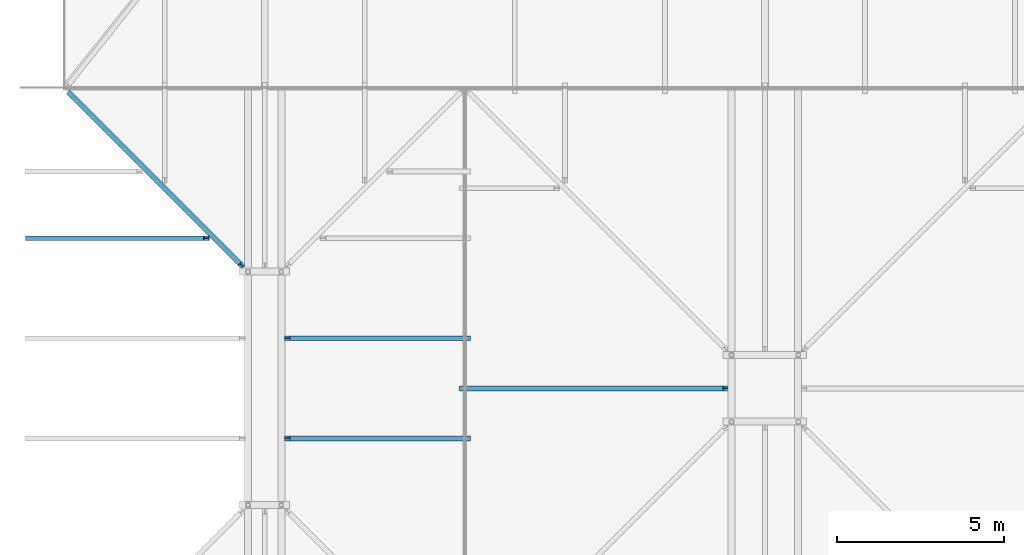
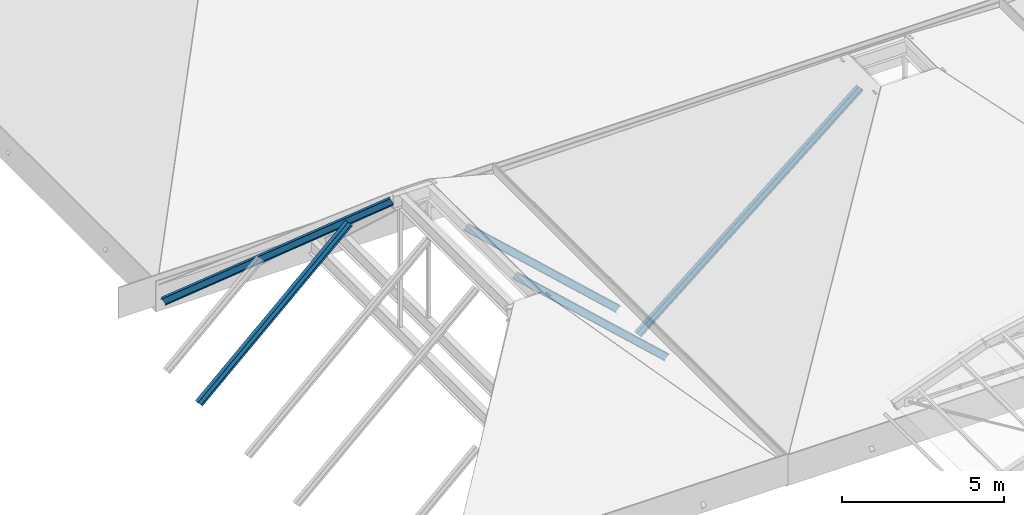
# One storey, part 22 of 57: 5 members.
"""IFC4 building model written with IfcOpenShell, lengths in metres."""

import ifcopenshell
import ifcopenshell.guid

model = None  # the IFC model being written
_history = None  # IfcOwnerHistory: only IFC2X3 demands one
_inside = {}  # id of a spatial element -> (the spatial element, [elements in it])
_under = {}  # id of a project, library or spatial element -> (it, [spatial elements below it])
_declared = {}  # id of a project -> (the project, [libraries it declares])
_typed = {}  # id of a type object -> (the type object, [elements of that type])
_made_of = {}  # id of a material, layer set ... -> (it, [elements and type objects made of it])


def new_model(schema):
    """Start an empty IFC model of exactly this schema.

    Asked for "IFC4X3", IfcOpenShell would pick the latest addendum, in which some entities
    have other attributes; the version numbers below select the first issue.
    IFC2X3 requires an IfcOwnerHistory on every rooted entity: one is made here for all.
    """
    global model, _history
    if schema == "IFC4X3":
        model = ifcopenshell.file(schema_version=(4, 3, 0, 0))
    else:
        model = ifcopenshell.file(schema=schema)
    _inside.clear()
    _under.clear()
    _declared.clear()
    _typed.clear()
    _made_of.clear()
    _history = None
    if model.schema == "IFC2X3":
        org = make("IfcOrganization", Name="unknown")
        user = make(
            "IfcPersonAndOrganization",
            ThePerson=make("IfcPerson", FamilyName="unknown"),
            TheOrganization=org,
        )
        app = make(
            "IfcApplication",
            ApplicationDeveloper=org,
            Version="unknown",
            ApplicationFullName="unknown",
            ApplicationIdentifier="unknown",
        )
        _history = make(
            "IfcOwnerHistory",
            OwningUser=user,
            OwningApplication=app,
            ChangeAction="ADDED",
            CreationDate=0,
        )
    return model


def make(cls, **values):
    """One entity of the class cls with the attributes given. An attribute that is None is left unset."""
    return model.create_entity(
        cls, **{name: value for name, value in values.items() if value is not None}
    )


def rooted(cls, **values):
    """An entity with a GlobalId (a new one), such as an element, a storey or a relation."""
    return make(cls, GlobalId=ifcopenshell.guid.new(), OwnerHistory=_history, **values)


def si_unit(unit_type, name, prefix=None):
    """IfcSIUnit, for example si_unit("LENGTHUNIT", "METRE", prefix="MILLI")."""
    return make("IfcSIUnit", UnitType=unit_type, Prefix=prefix, Name=name)


def assignment(units):
    """IfcUnitAssignment: the units of a project."""
    return None if units is None else make("IfcUnitAssignment", Units=units)


def point(xyz):
    """IfcCartesianPoint."""
    return None if xyz is None else make("IfcCartesianPoint", Coordinates=xyz)


def direction(xyz):
    """IfcDirection."""
    return None if xyz is None else make("IfcDirection", DirectionRatios=xyz)


def frame(location, z_axis=None, x_axis=None):
    """IfcAxis2Placement3D, a coordinate frame: its origin and axes. An axis left out is left unset."""
    return make(
        "IfcAxis2Placement3D",
        Location=point(location),
        Axis=direction(z_axis),
        RefDirection=direction(x_axis),
    )


def frame_2d(location, x_axis=None):
    """IfcAxis2Placement2D, a coordinate frame in the plane: its origin and x axis."""
    return make(
        "IfcAxis2Placement2D", Location=point(location), RefDirection=direction(x_axis)
    )


def origin():
    """The frame at (0, 0, 0) with its axes left unset."""
    return frame((0.0, 0.0, 0.0))


def origin_2d():
    """The frame at (0, 0) in the plane with its x axis left unset."""
    return frame_2d((0.0, 0.0))


def place(relative_to, where):
    """IfcLocalPlacement: puts the frame where relative to a parent placement (None: the world)."""
    return make(
        "IfcLocalPlacement", PlacementRelTo=relative_to, RelativePlacement=where
    )


def context(
    kind, dimensions, precision=None, world=None, true_north=None, identifier=None
):
    """IfcGeometricRepresentationContext, for example the 3D "Model" context."""
    return make(
        "IfcGeometricRepresentationContext",
        ContextIdentifier=identifier,
        ContextType=kind,
        CoordinateSpaceDimension=dimensions,
        Precision=precision,
        WorldCoordinateSystem=world,
        TrueNorth=true_north,
    )


def subcontext(parent, identifier, kind, view, scale=None):
    """IfcGeometricRepresentationSubContext, for example "Body" below "Model"."""
    return make(
        "IfcGeometricRepresentationSubContext",
        ContextIdentifier=identifier,
        ContextType=kind,
        ParentContext=parent,
        TargetScale=scale,
        TargetView=view,
    )


def project(units=None, contexts=None):
    """IfcProject with its units and contexts."""
    return rooted(
        "IfcProject",
        Name="project",
        RepresentationContexts=contexts,
        UnitsInContext=assignment(units),
    )


def spatial(cls, under=None, at=None, **own):
    """A site, building, storey or space (cls), placed at a placement, below another one or the project."""
    s = rooted(cls, ObjectPlacement=at, **own)
    if under is not None:
        _under.setdefault(under.id(), (under, []))[1].append(s)
    return s


def profile(cls, at=None, kind="AREA", **sizes):
    """A parametric profile (cls). Its sizes go by their IFC names, for example OverallWidth=200.0."""
    return make(cls, ProfileType=kind, Position=at, **sizes)


def i_section(**sizes):
    """IfcIShapeProfileDef."""
    return profile("IfcIShapeProfileDef", **sizes)


def extrude(swept, where, along, depth):
    """IfcExtrudedAreaSolid: the profile swept, set in the frame where, extruded along a direction by depth."""
    return make(
        "IfcExtrudedAreaSolid",
        SweptArea=swept,
        Position=where,
        ExtrudedDirection=direction(along),
        Depth=depth,
    )


def shape(context_of_items, identifier, shape_type, items):
    """IfcShapeRepresentation: the items that make up one representation, for example the "Body"."""
    return make(
        "IfcShapeRepresentation",
        ContextOfItems=context_of_items,
        RepresentationIdentifier=identifier,
        RepresentationType=shape_type,
        Items=items,
    )


def material(Name=None, Category=None):
    """IfcMaterial."""
    return make("IfcMaterial", Name=Name, Category=Category)


def material_profile(
    of_material, cross_section, Name=None, Category=None, Priority=None
):
    """IfcMaterialProfile: a cross section and its material."""
    return make(
        "IfcMaterialProfile",
        Name=Name,
        Material=of_material,
        Profile=cross_section,
        Priority=Priority,
        Category=Category,
    )


def profile_set(profiles, Name=None, composite=None):
    """IfcMaterialProfileSet."""
    return make(
        "IfcMaterialProfileSet",
        Name=Name,
        MaterialProfiles=profiles,
        CompositeProfile=composite,
    )


def made_of(thing, what):
    """Note that an element or type object is made of a material, layer set ...; save() writes the relation."""
    if what is not None:
        _made_of.setdefault(what.id(), (what, []))[1].append(thing)
    return thing


def type_object(cls, material=None, **own):
    """A type object (cls), such as IfcWallType, which elements share."""
    return made_of(rooted(cls, **own), material)


def element(
    cls,
    number,
    at=None,
    inside=None,
    cuts=None,
    type_object=None,
    material=None,
    context=None,
    identifier="Body",
    shape_type=None,
    held_by="IfcProductDefinitionShape",
    body=None,
    shapes=None,
    **own,
):
    """One element of the class cls, such as IfcWall. Its Tag is "e" and its number.

    at: its placement. inside: the storey or other place that contains it. cuts: it is an
    opening in that element (IfcRelVoidsElement). A single representation is given by context,
    identifier, shape_type and body (its items); several are given by shapes. held_by: the class
    of the entity that holds the representations. save() writes the other relations.
    """
    e = rooted(cls, Tag="e%d" % number, ObjectPlacement=at, **own)
    if body is not None:
        shapes = [shape(context, identifier, shape_type, body)]
    if shapes is not None:
        e.Representation = make(held_by, Representations=shapes)
    if inside is not None:
        _inside.setdefault(inside.id(), (inside, []))[1].append(e)
    if cuts is not None:
        rooted(
            "IfcRelVoidsElement", RelatingBuildingElement=cuts, RelatedOpeningElement=e
        )
    if type_object is not None:
        _typed.setdefault(type_object.id(), (type_object, []))[1].append(e)
    return made_of(e, material)


def aggregate(whole, parts):
    """IfcRelAggregates: a whole, such as a stair, and the parts it consists of."""
    return rooted("IfcRelAggregates", RelatingObject=whole, RelatedObjects=parts)


def save(model, path):
    """Write the relations noted so far, then the file.

    IfcRelAggregates (storeys below a building ...), IfcRelContainedInSpatialStructure (elements
    in a storey), IfcRelDefinesByType, IfcRelAssociatesMaterial and IfcRelDeclares: one each for
    every whole, place, type object, material and project.
    """
    for whole, parts in _under.values():
        aggregate(whole, parts)
    for where, things in _inside.values():
        rooted(
            "IfcRelContainedInSpatialStructure",
            RelatedElements=things,
            RelatingStructure=where,
        )
    for kind, things in _typed.values():
        rooted("IfcRelDefinesByType", RelatedObjects=things, RelatingType=kind)
    for what, things in _made_of.values():
        rooted("IfcRelAssociatesMaterial", RelatedObjects=things, RelatingMaterial=what)
    for by, libraries in _declared.values():
        rooted("IfcRelDeclares", RelatingContext=by, RelatedDefinitions=libraries)
    model.write(path)


model = new_model("IFC4")

# Units and contexts
model_context = context("Model", 3, precision=1e-05, world=origin(), true_north=direction((0.0, 1.0)))
body_context = subcontext(model_context, "Body", "Model", "MODEL_VIEW")
ifc_project = project(units=[si_unit("LENGTHUNIT", "METRE"), si_unit("AREAUNIT", "SQUARE_METRE"), si_unit("VOLUMEUNIT", "CUBIC_METRE"), si_unit("PLANEANGLEUNIT", "RADIAN"), si_unit("MASSUNIT", "GRAM", prefix="KILO")], contexts=[model_context])

# Site, building, storey
site_placement = place(None, origin())
site = spatial("IfcSite", under=ifc_project, at=site_placement, CompositionType="ELEMENT")
building_placement = place(site_placement, origin())
building = spatial("IfcBuilding", under=site, at=building_placement, Name="Saffron Lane Theatres", CompositionType="ELEMENT")
storey_placement = place(building_placement, frame((0.0, 0.0, 28.0)))
storey = spatial("IfcBuildingStorey", under=building, at=storey_placement, Name="Upper Roof", CompositionType="ELEMENT", Elevation=28.0)

# Members
ifc_material_1 = material(Name="Steel Grade 350", Category="steel")
ifc_material_profile_1 = material_profile(ifc_material_1, i_section(OverallWidth=0.14599609375, OverallDepth=0.251953125, WebThickness=0.006103515625, FlangeThickness=0.008544921875, FilletRadius=0.011962890625, at=origin_2d()))
ifc_profile_set_1 = profile_set([ifc_material_profile_1], Name="Steel Grade 350")
member_type_1 = type_object("IfcMemberType", Name="ST-HIP RAFTER 250UB31.4", PredefinedType="RAFTER", material=ifc_profile_set_1)
member_1_placement = place(storey_placement, frame((12.1591796875, 107.8408203125, 0.105712890625), z_axis=(0.579642029858, -0.579642029858, 0.572739237738), x_axis=(0.707106781187, 0.707106781187, 0.0)))
element("IfcMember", 1, at=member_1_placement, inside=storey, type_object=member_type_1, Name="BK1-H2", PredefinedType="RAFTER", context=body_context, shape_type="SweptSolid", body=[
    extrude(i_section(OverallWidth=0.14599609375, OverallDepth=0.251953125, WebThickness=0.006103515625, FlangeThickness=0.008544921875, FilletRadius=0.011962890625, at=origin_2d()), origin(), (0.0, 0.0, 1.0), 8.87744140625),
])
ifc_material_2 = material(Name="Steel Grade 350", Category="steel")
ifc_material_profile_2 = material_profile(ifc_material_2, i_section(OverallWidth=0.14599609375, OverallDepth=0.251953125, WebThickness=0.006103515625, FlangeThickness=0.008544921875, FilletRadius=0.011962890625, at=origin_2d()))
ifc_profile_set_2 = profile_set([ifc_material_profile_2], Name="Steel Grade 350")
member_type_2 = type_object("IfcMemberType", Name="ST-JACK RAFTER 250UB31.4", PredefinedType="RAFTER", material=ifc_profile_set_2)
for number, where, z_axis, x_axis, name in (
    (2, (24.085205078125, 97.5, 0.0927734375), (-0.735882670699, 0.0, 0.67710907169), (0.0, -1.0, 0.0), "BK1-K10"),
    (3, (24.085205078125, 100.5, 0.0927734375), (-0.735882670699, 0.0, 0.67710907169), (0.0, -1.0, 0.0), "BK1-K12"),
):
    element("IfcMember", number, at=place(storey_placement, frame(where, z_axis=z_axis, x_axis=x_axis)), inside=storey, type_object=member_type_2, Name=name, PredefinedType="RAFTER", context=body_context, shape_type="SweptSolid", body=[
        extrude(i_section(OverallWidth=0.14599609375, OverallDepth=0.251953125, WebThickness=0.006103515625, FlangeThickness=0.008544921875, FilletRadius=0.011962890625, at=origin_2d()), origin(), (0.0, 0.0, 1.0), 7.348388671875),
    ])
member_2_placement = place(storey_placement, frame((10.9130859375, 103.5, -0.66796875), z_axis=(0.735871356643, 0.0, 0.677121367609), x_axis=(0.0, 1.0, 0.0)))
element("IfcMember", 4, at=member_2_placement, inside=storey, type_object=member_type_2, Name="BK1-K13", PredefinedType="RAFTER", context=body_context, shape_type="SweptSolid", body=[
    extrude(i_section(OverallWidth=0.14599609375, OverallDepth=0.251953125, WebThickness=0.006103515625, FlangeThickness=0.008544921875, FilletRadius=0.011962890625, at=origin_2d()), origin(), (0.0, 0.0, 1.0), 7.259765625),
])
member_3_placement = place(storey_placement, frame((23.919921875, 99.0, 0.09716796875), z_axis=(0.771407475001, 0.0, 0.636341502271), x_axis=(0.0, 1.0, 0.0)))
element("IfcMember", 5, at=member_3_placement, inside=storey, type_object=member_type_2, Name="BK2-K9", PredefinedType="RAFTER", context=body_context, shape_type="SweptSolid", body=[
    extrude(i_section(OverallWidth=0.14599609375, OverallDepth=0.251953125, WebThickness=0.006103515625, FlangeThickness=0.008544921875, FilletRadius=0.011962890625, at=origin_2d()), origin(), (0.0, 0.0, 1.0), 10.250732421875),
])

save(model, "model.ifc")
